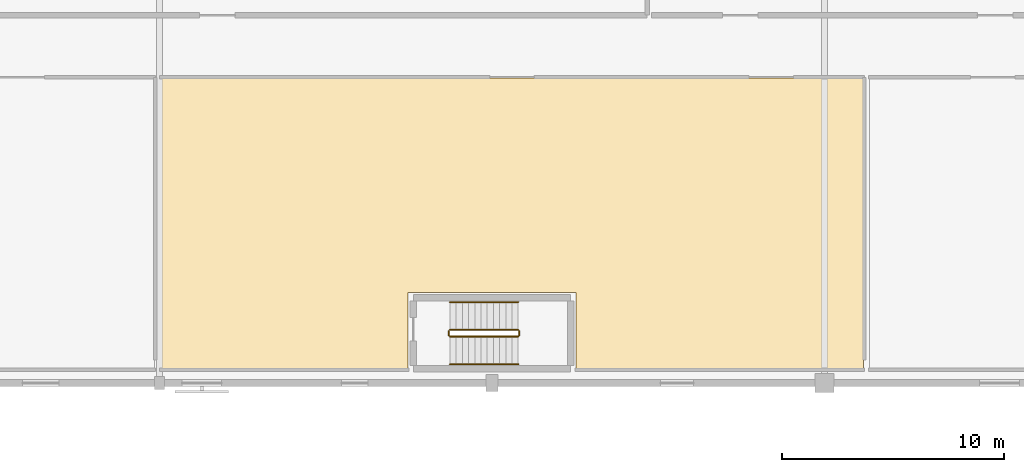
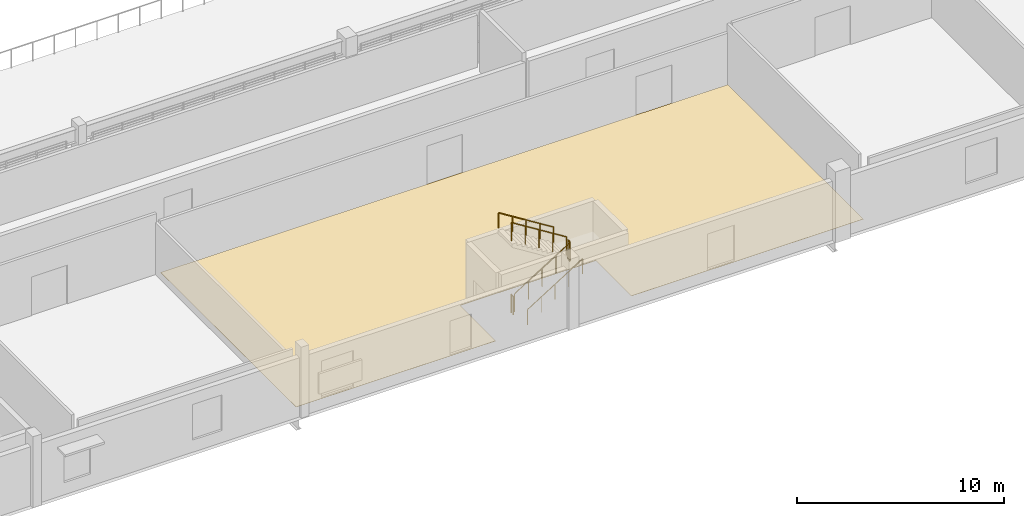
# One storey, part 79 of 92: 6 railings, 1 covering.
"""IFC4 building model written with IfcOpenShell, lengths in metres."""

import ifcopenshell
import ifcopenshell.guid

model = None  # the IFC model being written
_history = None  # IfcOwnerHistory: only IFC2X3 demands one
_inside = {}  # id of a spatial element -> (the spatial element, [elements in it])
_under = {}  # id of a project, library or spatial element -> (it, [spatial elements below it])
_declared = {}  # id of a project -> (the project, [libraries it declares])
_typed = {}  # id of a type object -> (the type object, [elements of that type])
_made_of = {}  # id of a material, layer set ... -> (it, [elements and type objects made of it])


def new_model(schema):
    """Start an empty IFC model of exactly this schema.

    Asked for "IFC4X3", IfcOpenShell would pick the latest addendum, in which some entities
    have other attributes; the version numbers below select the first issue.
    IFC2X3 requires an IfcOwnerHistory on every rooted entity: one is made here for all.
    """
    global model, _history
    if schema == "IFC4X3":
        model = ifcopenshell.file(schema_version=(4, 3, 0, 0))
    else:
        model = ifcopenshell.file(schema=schema)
    _inside.clear()
    _under.clear()
    _declared.clear()
    _typed.clear()
    _made_of.clear()
    _history = None
    if model.schema == "IFC2X3":
        org = make("IfcOrganization", Name="unknown")
        user = make(
            "IfcPersonAndOrganization",
            ThePerson=make("IfcPerson", FamilyName="unknown"),
            TheOrganization=org,
        )
        app = make(
            "IfcApplication",
            ApplicationDeveloper=org,
            Version="unknown",
            ApplicationFullName="unknown",
            ApplicationIdentifier="unknown",
        )
        _history = make(
            "IfcOwnerHistory",
            OwningUser=user,
            OwningApplication=app,
            ChangeAction="ADDED",
            CreationDate=0,
        )
    return model


def make(cls, **values):
    """One entity of the class cls with the attributes given. An attribute that is None is left unset."""
    return model.create_entity(
        cls, **{name: value for name, value in values.items() if value is not None}
    )


def rooted(cls, **values):
    """An entity with a GlobalId (a new one), such as an element, a storey or a relation."""
    return make(cls, GlobalId=ifcopenshell.guid.new(), OwnerHistory=_history, **values)


def si_unit(unit_type, name, prefix=None):
    """IfcSIUnit, for example si_unit("LENGTHUNIT", "METRE", prefix="MILLI")."""
    return make("IfcSIUnit", UnitType=unit_type, Prefix=prefix, Name=name)


def assignment(units):
    """IfcUnitAssignment: the units of a project."""
    return None if units is None else make("IfcUnitAssignment", Units=units)


def point(xyz):
    """IfcCartesianPoint."""
    return None if xyz is None else make("IfcCartesianPoint", Coordinates=xyz)


def direction(xyz):
    """IfcDirection."""
    return None if xyz is None else make("IfcDirection", DirectionRatios=xyz)


def frame(location, z_axis=None, x_axis=None):
    """IfcAxis2Placement3D, a coordinate frame: its origin and axes. An axis left out is left unset."""
    return make(
        "IfcAxis2Placement3D",
        Location=point(location),
        Axis=direction(z_axis),
        RefDirection=direction(x_axis),
    )


def frame_2d(location, x_axis=None):
    """IfcAxis2Placement2D, a coordinate frame in the plane: its origin and x axis."""
    return make(
        "IfcAxis2Placement2D", Location=point(location), RefDirection=direction(x_axis)
    )


def origin():
    """The frame at (0, 0, 0) with its axes left unset."""
    return frame((0.0, 0.0, 0.0))


def origin_2d():
    """The frame at (0, 0) in the plane with its x axis left unset."""
    return frame_2d((0.0, 0.0))


def place(relative_to, where):
    """IfcLocalPlacement: puts the frame where relative to a parent placement (None: the world)."""
    return make(
        "IfcLocalPlacement", PlacementRelTo=relative_to, RelativePlacement=where
    )


def context(
    kind, dimensions, precision=None, world=None, true_north=None, identifier=None
):
    """IfcGeometricRepresentationContext, for example the 3D "Model" context."""
    return make(
        "IfcGeometricRepresentationContext",
        ContextIdentifier=identifier,
        ContextType=kind,
        CoordinateSpaceDimension=dimensions,
        Precision=precision,
        WorldCoordinateSystem=world,
        TrueNorth=true_north,
    )


def subcontext(parent, identifier, kind, view, scale=None):
    """IfcGeometricRepresentationSubContext, for example "Body" below "Model"."""
    return make(
        "IfcGeometricRepresentationSubContext",
        ContextIdentifier=identifier,
        ContextType=kind,
        ParentContext=parent,
        TargetScale=scale,
        TargetView=view,
    )


def project(units=None, contexts=None):
    """IfcProject with its units and contexts."""
    return rooted(
        "IfcProject",
        Name="project",
        RepresentationContexts=contexts,
        UnitsInContext=assignment(units),
    )


def spatial(cls, under=None, at=None, **own):
    """A site, building, storey or space (cls), placed at a placement, below another one or the project."""
    s = rooted(cls, ObjectPlacement=at, **own)
    if under is not None:
        _under.setdefault(under.id(), (under, []))[1].append(s)
    return s


def polyline(points):
    """IfcPolyline through the points."""
    return make("IfcPolyline", Points=[point(p) for p in points])


def profile(cls, at=None, kind="AREA", **sizes):
    """A parametric profile (cls). Its sizes go by their IFC names, for example OverallWidth=200.0."""
    return make(cls, ProfileType=kind, Position=at, **sizes)


def circle(**sizes):
    """IfcCircleProfileDef."""
    return profile("IfcCircleProfileDef", **sizes)


def outline(outer, holes=None, kind="AREA"):
    """IfcArbitraryClosedProfileDef: a profile drawn as a closed curve; with holes, ...WithVoids."""
    if holes is None:
        return make("IfcArbitraryClosedProfileDef", ProfileType=kind, OuterCurve=outer)
    return make(
        "IfcArbitraryProfileDefWithVoids",
        ProfileType=kind,
        OuterCurve=outer,
        InnerCurves=holes,
    )


def extrude(swept, where, along, depth):
    """IfcExtrudedAreaSolid: the profile swept, set in the frame where, extruded along a direction by depth."""
    return make(
        "IfcExtrudedAreaSolid",
        SweptArea=swept,
        Position=where,
        ExtrudedDirection=direction(along),
        Depth=depth,
    )


def shape(context_of_items, identifier, shape_type, items):
    """IfcShapeRepresentation: the items that make up one representation, for example the "Body"."""
    return make(
        "IfcShapeRepresentation",
        ContextOfItems=context_of_items,
        RepresentationIdentifier=identifier,
        RepresentationType=shape_type,
        Items=items,
    )


def material(Name=None, Category=None):
    """IfcMaterial."""
    return make("IfcMaterial", Name=Name, Category=Category)


def layer(
    of_material, thickness, ventilated=None, Name=None, Category=None, Priority=None
):
    """IfcMaterialLayer: one layer of a wall or slab, of a material (None: an air gap)."""
    return make(
        "IfcMaterialLayer",
        Material=of_material,
        LayerThickness=thickness,
        IsVentilated=ventilated,
        Name=Name,
        Category=Category,
        Priority=Priority,
    )


def layer_set(layers, Name=None):
    """IfcMaterialLayerSet."""
    return make("IfcMaterialLayerSet", MaterialLayers=layers, LayerSetName=Name)


def made_of(thing, what):
    """Note that an element or type object is made of a material, layer set ...; save() writes the relation."""
    if what is not None:
        _made_of.setdefault(what.id(), (what, []))[1].append(thing)
    return thing


def type_object(cls, material=None, **own):
    """A type object (cls), such as IfcWallType, which elements share."""
    return made_of(rooted(cls, **own), material)


def element(
    cls,
    number,
    at=None,
    inside=None,
    cuts=None,
    type_object=None,
    material=None,
    context=None,
    identifier="Body",
    shape_type=None,
    held_by="IfcProductDefinitionShape",
    body=None,
    shapes=None,
    **own,
):
    """One element of the class cls, such as IfcWall. Its Tag is "e" and its number.

    at: its placement. inside: the storey or other place that contains it. cuts: it is an
    opening in that element (IfcRelVoidsElement). A single representation is given by context,
    identifier, shape_type and body (its items); several are given by shapes. held_by: the class
    of the entity that holds the representations. save() writes the other relations.
    """
    e = rooted(cls, Tag="e%d" % number, ObjectPlacement=at, **own)
    if body is not None:
        shapes = [shape(context, identifier, shape_type, body)]
    if shapes is not None:
        e.Representation = make(held_by, Representations=shapes)
    if inside is not None:
        _inside.setdefault(inside.id(), (inside, []))[1].append(e)
    if cuts is not None:
        rooted(
            "IfcRelVoidsElement", RelatingBuildingElement=cuts, RelatedOpeningElement=e
        )
    if type_object is not None:
        _typed.setdefault(type_object.id(), (type_object, []))[1].append(e)
    return made_of(e, material)


def aggregate(whole, parts):
    """IfcRelAggregates: a whole, such as a stair, and the parts it consists of."""
    return rooted("IfcRelAggregates", RelatingObject=whole, RelatedObjects=parts)


def save(model, path):
    """Write the relations noted so far, then the file.

    IfcRelAggregates (storeys below a building ...), IfcRelContainedInSpatialStructure (elements
    in a storey), IfcRelDefinesByType, IfcRelAssociatesMaterial and IfcRelDeclares: one each for
    every whole, place, type object, material and project.
    """
    for whole, parts in _under.values():
        aggregate(whole, parts)
    for where, things in _inside.values():
        rooted(
            "IfcRelContainedInSpatialStructure",
            RelatedElements=things,
            RelatingStructure=where,
        )
    for kind, things in _typed.values():
        rooted("IfcRelDefinesByType", RelatedObjects=things, RelatingType=kind)
    for what, things in _made_of.values():
        rooted("IfcRelAssociatesMaterial", RelatedObjects=things, RelatingMaterial=what)
    for by, libraries in _declared.values():
        rooted("IfcRelDeclares", RelatingContext=by, RelatedDefinitions=libraries)
    model.write(path)


model = new_model("IFC4")

# Units and contexts
model_context = context("Model", 3, precision=1e-05, world=origin(), true_north=direction((0.0, 1.0)))
body_context = subcontext(model_context, "Body", "Model", "MODEL_VIEW")
ifc_project = project(units=[si_unit("LENGTHUNIT", "METRE"), si_unit("AREAUNIT", "SQUARE_METRE"), si_unit("VOLUMEUNIT", "CUBIC_METRE"), si_unit("PLANEANGLEUNIT", "RADIAN"), si_unit("MASSUNIT", "GRAM", prefix="KILO")], contexts=[model_context])

# Site, building, storey
site_placement = place(None, origin())
site = spatial("IfcSite", under=ifc_project, at=site_placement, CompositionType="ELEMENT")
building_placement = place(site_placement, origin())
building = spatial("IfcBuilding", under=site, at=building_placement, Name="Solanera Park Tramway Depot", CompositionType="ELEMENT")
storey_placement = place(building_placement, frame((0.0, 0.0, 4.800048828125)))
storey = spatial("IfcBuildingStorey", under=building, at=storey_placement, Name="L01", CompositionType="ELEMENT", Elevation=4.800048828125)

# Covering
ifc_material_1 = material(Name="Heavy-duty slip-resistant epoxy resin screed")
ifc_layer_1 = layer(ifc_material_1, 0.011962890625)
ifc_layer_set_1 = layer_set([ifc_layer_1], Name="Heavy-duty slip-resistant epoxy resin screed")
covering_type = type_object("IfcCoveringType", Name="Epoxy Industrial Workshop Flooring 12", PredefinedType="FLOORING", material=ifc_layer_set_1)
covering_placement = place(storey_placement, origin())
element("IfcCovering", 1, at=covering_placement, inside=storey, type_object=covering_type, Name="On-Board Signalling and ATP Bench Lab Floor Finish", PredefinedType="FLOORING", context=body_context, shape_type="SweptSolid", body=[
    extrude(outline(polyline([(30.0400390625, 11.43994140625), (30.0400390625, 24.56005859375), (61.760009765625, 24.56005859375), (61.760009765625, 11.43994140625), (48.7900390625, 11.43994140625), (48.7900390625, 14.889892578125), (41.2099609375, 14.889892578125), (41.2099609375, 11.43994140625), (30.0400390625, 11.43994140625)])), origin(), (0.0, 0.0, 1.0), 0.011962890625),
])

# Railings
ifc_material_2 = material(Name="Brushed stainless steel 316 handrail", Category="steel")
ifc_layer_2 = layer(ifc_material_2, 0.050048828125)
ifc_layer_set_2 = layer_set([ifc_layer_2], Name="Brushed stainless steel 316 handrail")
railing_type_1 = type_object("IfcRailingType", Name="Stair Pitch Tubular Handrail 920", PredefinedType="HANDRAIL", material=ifc_layer_set_2)
railing_1_placement = place(storey_placement, frame((43.10009765625, 11.64990234375, 0.175048828125)))
element("IfcRailing", 2, at=railing_1_placement, inside=storey, type_object=railing_type_1, Name="ST-12 L01 Pitch Handrail 1", PredefinedType="HANDRAIL", context=body_context, shape_type="SweptSolid", body=[
    extrude(circle(Radius=0.02392578125, at=origin_2d()), frame((0.0, 0.0, 0.89599609375), z_axis=(0.848009633417, 0.0, 0.529980812513), x_axis=(0.0, 1.0, 0.0)), (0.0, 0.0, 1.0), 3.6318359375),
    extrude(circle(Radius=0.02099609375, at=origin_2d()), origin(), (0.0, 0.0, 1.0), 0.871826171875),
    extrude(circle(Radius=0.02099609375, at=origin_2d()), frame((0.77001953125, 0.0, 0.481201171875)), (0.0, 0.0, 1.0), 0.871826171875),
    extrude(circle(Radius=0.02099609375, at=origin_2d()), frame((1.5400390625, 0.0, 0.96240234375)), (0.0, 0.0, 1.0), 0.871826171875),
    extrude(circle(Radius=0.02099609375, at=origin_2d()), frame((2.309814453125, 0.0, 1.443603515625)), (0.0, 0.0, 1.0), 0.871826171875),
    extrude(circle(Radius=0.02099609375, at=origin_2d()), frame((3.079833984375, 0.0, 1.9248046875)), (0.0, 0.0, 1.0), 0.871826171875),
])
railing_2_placement = place(storey_placement, frame((46.179931640625, 14.449951171875, 2.27490234375)))
element("IfcRailing", 3, at=railing_2_placement, inside=storey, type_object=railing_type_1, Name="ST-12 L01 Pitch Handrail 2", PredefinedType="HANDRAIL", context=body_context, shape_type="SweptSolid", body=[
    extrude(circle(Radius=0.02392578125, at=origin_2d()), frame((0.0, 0.0, 0.89599609375), z_axis=(-0.847979421464, 0.0, 0.530029150871), x_axis=(0.0, -1.0, 0.0)), (0.0, 0.0, 1.0), 3.632080078125),
    extrude(circle(Radius=0.02099609375, at=origin_2d()), origin(), (0.0, 0.0, 1.0), 0.871826171875),
    extrude(circle(Radius=0.02099609375, at=origin_2d()), frame((-0.77001953125, 0.0, 0.481201171875)), (0.0, 0.0, 1.0), 0.871826171875),
    extrude(circle(Radius=0.02099609375, at=origin_2d()), frame((-1.5400390625, 0.0, 0.96240234375)), (0.0, 0.0, 1.0), 0.871826171875),
    extrude(circle(Radius=0.02099609375, at=origin_2d()), frame((-2.309814453125, 0.0, 1.44384765625)), (0.0, 0.0, 1.0), 0.871826171875),
    extrude(circle(Radius=0.02099609375, at=origin_2d()), frame((-3.079833984375, 0.0, 1.925048828125)), (0.0, 0.0, 1.0), 0.871826171875),
])
ifc_material_3 = material(Name="Steel AS/NZS 1163 Grade C350L0", Category="steel")
ifc_layer_3 = layer(ifc_material_3, 0.06005859375)
ifc_layer_set_3 = layer_set([ifc_layer_3], Name="Steel AS/NZS 1163 Grade C350L0")
railing_type_2 = type_object("IfcRailingType", Name="Stairwell Guardrail 1100", PredefinedType="GUARDRAIL", material=ifc_layer_set_3)
railing_3_placement = place(storey_placement, frame((43.10009765625, 12.89990234375, 0.175048828125)))
element("IfcRailing", 4, at=railing_3_placement, inside=storey, type_object=railing_type_2, Name="ST-12 L01 Well Guard 1", PredefinedType="GUARDRAIL", context=body_context, shape_type="SweptSolid", body=[
    extrude(circle(Radius=0.02392578125, at=origin_2d()), frame((0.0, 0.0, 1.076171875), z_axis=(0.848009633417, 0.0, 0.529980812513), x_axis=(0.0, 1.0, 0.0)), (0.0, 0.0, 1.0), 3.6318359375),
    extrude(circle(Radius=0.02099609375, at=origin_2d()), origin(), (0.0, 0.0, 1.0), 1.052001953125),
    extrude(circle(Radius=0.02099609375, at=origin_2d()), frame((0.77001953125, 0.0, 0.481201171875)), (0.0, 0.0, 1.0), 1.052001953125),
    extrude(circle(Radius=0.02099609375, at=origin_2d()), frame((1.5400390625, 0.0, 0.96240234375)), (0.0, 0.0, 1.0), 1.052001953125),
    extrude(circle(Radius=0.02099609375, at=origin_2d()), frame((2.309814453125, 0.0, 1.443603515625)), (0.0, 0.0, 1.0), 1.052001953125),
    extrude(circle(Radius=0.02099609375, at=origin_2d()), frame((3.079833984375, 0.0, 1.9248046875)), (0.0, 0.0, 1.0), 1.052001953125),
])
railing_4_placement = place(storey_placement, frame((46.22998046875, 12.949951171875, 2.099853515625)))
element("IfcRailing", 5, at=railing_4_placement, inside=storey, type_object=railing_type_2, Name="ST-12 L01 Well Guard 2", PredefinedType="GUARDRAIL", context=body_context, shape_type="SweptSolid", body=[
    extrude(circle(Radius=0.02392578125, at=origin_2d()), frame((0.0, 0.0, 1.076171875), z_axis=(0.0, 1.0, 0.0), x_axis=(-1.0, 0.0, 0.0)), (0.0, 0.0, 1.0), 0.199951171875),
    extrude(circle(Radius=0.02099609375, at=origin_2d()), origin(), (0.0, 0.0, 1.0), 1.052001953125),
    extrude(circle(Radius=0.02099609375, at=origin_2d()), frame((0.0, 0.199951171875, 0.0)), (0.0, 0.0, 1.0), 1.052001953125),
])
railing_5_placement = place(storey_placement, frame((46.179931640625, 13.199951171875, 2.27490234375)))
element("IfcRailing", 6, at=railing_5_placement, inside=storey, type_object=railing_type_2, Name="ST-12 L01 Well Guard 3", PredefinedType="GUARDRAIL", context=body_context, shape_type="SweptSolid", body=[
    extrude(circle(Radius=0.02392578125, at=origin_2d()), frame((0.0, 0.0, 1.076171875), z_axis=(-0.847979421464, 0.0, 0.530029150871), x_axis=(0.0, -1.0, 0.0)), (0.0, 0.0, 1.0), 3.632080078125),
    extrude(circle(Radius=0.02099609375, at=origin_2d()), origin(), (0.0, 0.0, 1.0), 1.052001953125),
    extrude(circle(Radius=0.02099609375, at=origin_2d()), frame((-0.77001953125, 0.0, 0.481201171875)), (0.0, 0.0, 1.0), 1.052001953125),
    extrude(circle(Radius=0.02099609375, at=origin_2d()), frame((-1.5400390625, 0.0, 0.96240234375)), (0.0, 0.0, 1.0), 1.052001953125),
    extrude(circle(Radius=0.02099609375, at=origin_2d()), frame((-2.309814453125, 0.0, 1.44384765625)), (0.0, 0.0, 1.0), 1.052001953125),
    extrude(circle(Radius=0.02099609375, at=origin_2d()), frame((-3.079833984375, 0.0, 1.925048828125)), (0.0, 0.0, 1.0), 1.052001953125),
])
railing_6_placement = place(storey_placement, frame((43.050048828125, 12.949951171875, 0.0)))
element("IfcRailing", 7, at=railing_6_placement, inside=storey, type_object=railing_type_2, Name="ST-12 L01 Well Guard 4", PredefinedType="GUARDRAIL", context=body_context, shape_type="SweptSolid", body=[
    extrude(circle(Radius=0.02392578125, at=origin_2d()), frame((0.0, 0.0, 1.076171875), z_axis=(0.0, 1.0, 0.0), x_axis=(-1.0, 0.0, 0.0)), (0.0, 0.0, 1.0), 0.199951171875),
    extrude(circle(Radius=0.02099609375, at=origin_2d()), origin(), (0.0, 0.0, 1.0), 1.052001953125),
    extrude(circle(Radius=0.02099609375, at=origin_2d()), frame((0.0, 0.199951171875, 0.0)), (0.0, 0.0, 1.0), 1.052001953125),
])

save(model, "model.ifc")
